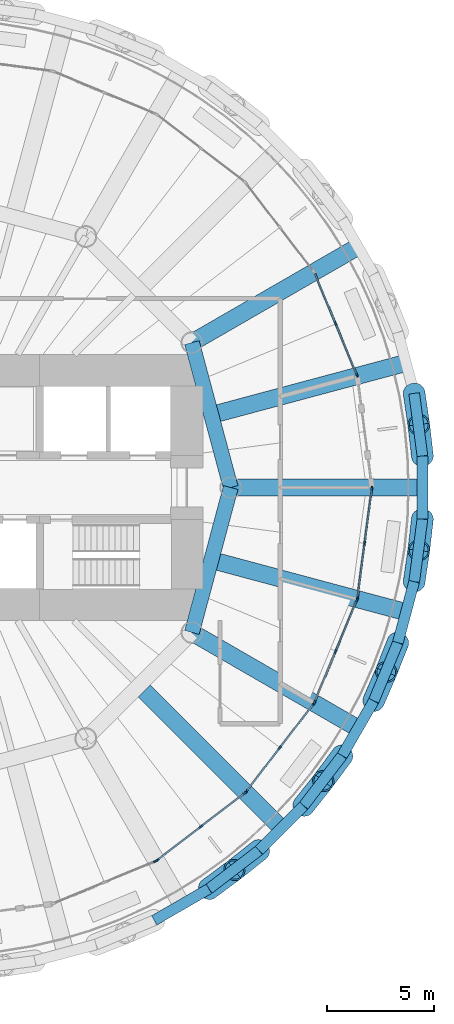
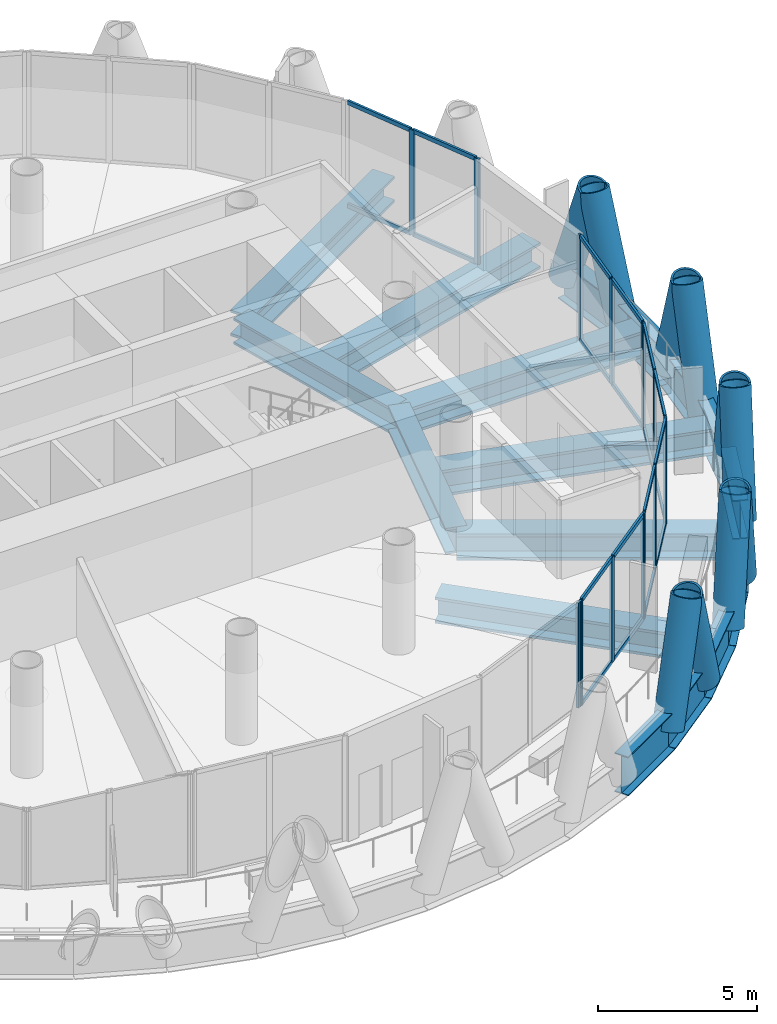
# One storey, part 4 of 15: 45 members, 18 beams, 6 elements without a shape of their own.
"""IFC4 building model written with IfcOpenShell, lengths in metres."""

from ifc_helpers import new_model, si_unit, direction, frame, origin, origin_2d, place, context, subcontext, project, spatial, rectangle, hollow_circle, i_section, extrude, material, material_profile, profile_set, type_object, element, aggregate, save


model = new_model("IFC4")

# Units and contexts
model_context = context("Model", 3, precision=1e-05, world=origin(), true_north=direction((0.0, 1.0)))
body_context = subcontext(model_context, "Body", "Model", "MODEL_VIEW")
ifc_project = project(units=[si_unit("LENGTHUNIT", "METRE"), si_unit("AREAUNIT", "SQUARE_METRE"), si_unit("VOLUMEUNIT", "CUBIC_METRE"), si_unit("PLANEANGLEUNIT", "RADIAN"), si_unit("MASSUNIT", "GRAM", prefix="KILO")], contexts=[model_context])

# Site, building, storey
site_placement = place(None, origin())
site = spatial("IfcSite", under=ifc_project, at=site_placement, CompositionType="ELEMENT")
building_placement = place(site_placement, origin())
building = spatial("IfcBuilding", under=site, at=building_placement, Name="Qaws Media Tower", CompositionType="ELEMENT")
storey_placement = place(building_placement, frame((0.0, 0.0, 231.800048828125)))
storey = spatial("IfcBuildingStorey", under=building, at=storey_placement, Name="L53", CompositionType="ELEMENT", Elevation=231.800048828125)

# Curtain wall, members
ifc_material_1 = material(Name="Aluminium and clear glass", Category="aluminium")
curtain_wall_type = type_object("IfcCurtainWallType", Name="Unitised curtain wall CW-C", PredefinedType="NOTDEFINED", material=ifc_material_1)
curtain_wall_1_placement = place(storey_placement, origin())
curtain_wall_1 = element("IfcCurtainWall", 1, at=curtain_wall_1_placement, inside=storey, type_object=curtain_wall_type, Name="CWC curtain wall L53-02", PredefinedType="NOTDEFINED")
ifc_material_2 = material(Name="Aluminium mullion", Category="aluminium")
ifc_material_profile_1 = material_profile(ifc_material_2, rectangle(XDim=0.080078125, YDim=0.199951171875, at=origin_2d()), Name="80x200")
ifc_profile_set_1 = profile_set([ifc_material_profile_1], Name="Aluminium mullion")
member_type_1 = type_object("IfcMemberType", Name="Curtain wall mullion 80x200", PredefinedType="MULLION", material=ifc_profile_set_1)
member_1_placement = place(storey_placement, frame((79.375732421875, 55.232666015625, 0.0), z_axis=(0.0, 0.0, 1.0), x_axis=(-0.923879540513, -0.382683413048, 0.0)))
member_1 = element("IfcMember", 2, at=member_1_placement, type_object=member_type_1, Name="CWC mullion 1", PredefinedType="MULLION", context=body_context, shape_type="SweptSolid", body=[
    extrude(rectangle(XDim=0.080078125, YDim=0.199951171875, at=origin_2d()), origin(), (0.0, 0.0, 1.0), 4.0400390625),
])
member_2_placement = place(storey_placement, frame((78.38818359375, 57.61669921875, 0.0), z_axis=(0.0, 0.0, 1.0), x_axis=(-0.923879540513, -0.382683413048, 0.0)))
member_2 = element("IfcMember", 3, at=member_2_placement, type_object=member_type_1, Name="CWC mullion 2", PredefinedType="MULLION", context=body_context, shape_type="SweptSolid", body=[
    extrude(rectangle(XDim=0.080078125, YDim=0.199951171875, at=origin_2d()), origin(), (0.0, 0.0, 1.0), 4.0400390625),
])

# Curtain wall, member
curtain_wall_2_placement = place(storey_placement, origin())
curtain_wall_2 = element("IfcCurtainWall", 4, at=curtain_wall_2_placement, inside=storey, type_object=curtain_wall_type, Name="CWC curtain wall L53-20", PredefinedType="NOTDEFINED")
member_3_placement = place(storey_placement, frame((70.00048828125, 32.59912109375, 0.0), z_axis=(0.0, 0.0, 1.0), x_axis=(-0.382683413048, 0.923879540513, 0.0)))
member_3 = element("IfcMember", 5, at=member_3_placement, type_object=member_type_1, Name="CWC mullion 3", PredefinedType="MULLION", context=body_context, shape_type="SweptSolid", body=[
    extrude(rectangle(XDim=0.080078125, YDim=0.199951171875, at=origin_2d()), origin(), (0.0, 0.0, 1.0), 4.0400390625),
])
aggregate(curtain_wall_2, [member_3])

# Curtain wall, members
curtain_wall_3_placement = place(storey_placement, origin())
curtain_wall_3 = element("IfcCurtainWall", 6, at=curtain_wall_3_placement, inside=storey, type_object=curtain_wall_type, Name="CWC curtain wall L53-21", PredefinedType="NOTDEFINED")
member_4_placement = place(storey_placement, frame((70.0693359375, 32.638916015625, 0.0), z_axis=(0.0, 0.0, 1.0), x_axis=(-0.608761353254, 0.79335339842, 0.0)))
member_4 = element("IfcMember", 7, at=member_4_placement, type_object=member_type_1, Name="CWC mullion 1", PredefinedType="MULLION", context=body_context, shape_type="SweptSolid", body=[
    extrude(rectangle(XDim=0.080078125, YDim=0.199951171875, at=origin_2d()), origin(), (0.0, 0.0, 1.0), 4.0400390625),
])
member_5_placement = place(storey_placement, frame((72.116455078125, 34.209716796875, 0.0), z_axis=(0.0, 0.0, 1.0), x_axis=(-0.608761353254, 0.79335339842, 0.0)))
member_5 = element("IfcMember", 8, at=member_5_placement, type_object=member_type_1, Name="CWC mullion 2", PredefinedType="MULLION", context=body_context, shape_type="SweptSolid", body=[
    extrude(rectangle(XDim=0.080078125, YDim=0.199951171875, at=origin_2d()), origin(), (0.0, 0.0, 1.0), 4.0400390625),
])
member_6_placement = place(storey_placement, frame((74.163330078125, 35.780517578125, 0.0), z_axis=(0.0, 0.0, 1.0), x_axis=(-0.608761353254, 0.79335339842, 0.0)))
member_6 = element("IfcMember", 9, at=member_6_placement, type_object=member_type_1, Name="CWC mullion 3", PredefinedType="MULLION", context=body_context, shape_type="SweptSolid", body=[
    extrude(rectangle(XDim=0.080078125, YDim=0.199951171875, at=origin_2d()), origin(), (0.0, 0.0, 1.0), 4.0400390625),
])

curtain_wall_4_placement = place(storey_placement, origin())
curtain_wall_4 = element("IfcCurtainWall", 10, at=curtain_wall_4_placement, inside=storey, type_object=curtain_wall_type, Name="CWC curtain wall L53-22", PredefinedType="NOTDEFINED")
member_7_placement = place(storey_placement, frame((74.219482421875, 35.836669921875, 0.0), z_axis=(0.0, 0.0, 1.0), x_axis=(-0.79335339842, 0.608761353254, 0.0)))
member_7 = element("IfcMember", 11, at=member_7_placement, type_object=member_type_1, Name="CWC mullion 1", PredefinedType="MULLION", context=body_context, shape_type="SweptSolid", body=[
    extrude(rectangle(XDim=0.080078125, YDim=0.199951171875, at=origin_2d()), origin(), (0.0, 0.0, 1.0), 4.0400390625),
])
member_8_placement = place(storey_placement, frame((75.790283203125, 37.883544921875, 0.0), z_axis=(0.0, 0.0, 1.0), x_axis=(-0.79335339842, 0.608761353254, 0.0)))
member_8 = element("IfcMember", 12, at=member_8_placement, type_object=member_type_1, Name="CWC mullion 2", PredefinedType="MULLION", context=body_context, shape_type="SweptSolid", body=[
    extrude(rectangle(XDim=0.080078125, YDim=0.199951171875, at=origin_2d()), origin(), (0.0, 0.0, 1.0), 4.0400390625),
])
member_9_placement = place(storey_placement, frame((77.361083984375, 39.9306640625, 0.0), z_axis=(0.0, 0.0, 1.0), x_axis=(-0.79335339842, 0.608761353254, 0.0)))
member_9 = element("IfcMember", 13, at=member_9_placement, type_object=member_type_1, Name="CWC mullion 3", PredefinedType="MULLION", context=body_context, shape_type="SweptSolid", body=[
    extrude(rectangle(XDim=0.080078125, YDim=0.199951171875, at=origin_2d()), origin(), (0.0, 0.0, 1.0), 4.0400390625),
])

curtain_wall_5_placement = place(storey_placement, origin())
curtain_wall_5 = element("IfcCurtainWall", 14, at=curtain_wall_5_placement, inside=storey, type_object=curtain_wall_type, Name="CWC curtain wall L53-23", PredefinedType="NOTDEFINED")
member_10_placement = place(storey_placement, frame((77.40087890625, 39.99951171875, 0.0), z_axis=(0.0, 0.0, 1.0), x_axis=(-0.923879540513, 0.382683413048, 0.0)))
member_10 = element("IfcMember", 15, at=member_10_placement, type_object=member_type_1, Name="CWC mullion 1", PredefinedType="MULLION", context=body_context, shape_type="SweptSolid", body=[
    extrude(rectangle(XDim=0.080078125, YDim=0.199951171875, at=origin_2d()), origin(), (0.0, 0.0, 1.0), 4.0400390625),
])
member_11_placement = place(storey_placement, frame((78.38818359375, 42.38330078125, 0.0), z_axis=(0.0, 0.0, 1.0), x_axis=(-0.923879540513, 0.382683413048, 0.0)))
member_11 = element("IfcMember", 16, at=member_11_placement, type_object=member_type_1, Name="CWC mullion 2", PredefinedType="MULLION", context=body_context, shape_type="SweptSolid", body=[
    extrude(rectangle(XDim=0.080078125, YDim=0.199951171875, at=origin_2d()), origin(), (0.0, 0.0, 1.0), 4.0400390625),
])
member_12_placement = place(storey_placement, frame((79.375732421875, 44.767333984375, 0.0), z_axis=(0.0, 0.0, 1.0), x_axis=(-0.923879540513, 0.382683413048, 0.0)))
member_12 = element("IfcMember", 17, at=member_12_placement, type_object=member_type_1, Name="CWC mullion 3", PredefinedType="MULLION", context=body_context, shape_type="SweptSolid", body=[
    extrude(rectangle(XDim=0.080078125, YDim=0.199951171875, at=origin_2d()), origin(), (0.0, 0.0, 1.0), 4.0400390625),
])

curtain_wall_6_placement = place(storey_placement, origin())
curtain_wall_6 = element("IfcCurtainWall", 18, at=curtain_wall_6_placement, inside=storey, type_object=curtain_wall_type, Name="CWC curtain wall L53-24", PredefinedType="NOTDEFINED")
member_13_placement = place(storey_placement, frame((79.396240234375, 44.84375, 0.0), z_axis=(0.0, 0.0, 1.0), x_axis=(-0.991444861219, 0.130526193397, 0.0)))
member_13 = element("IfcMember", 19, at=member_13_placement, type_object=member_type_1, Name="CWC mullion 1", PredefinedType="MULLION", context=body_context, shape_type="SweptSolid", body=[
    extrude(rectangle(XDim=0.080078125, YDim=0.199951171875, at=origin_2d()), origin(), (0.0, 0.0, 1.0), 4.0400390625),
])
member_14_placement = place(storey_placement, frame((79.73291015625, 47.402099609375, 0.0), z_axis=(0.0, 0.0, 1.0), x_axis=(-0.991444861219, 0.130526193397, 0.0)))
member_14 = element("IfcMember", 20, at=member_14_placement, type_object=member_type_1, Name="CWC mullion 2", PredefinedType="MULLION", context=body_context, shape_type="SweptSolid", body=[
    extrude(rectangle(XDim=0.080078125, YDim=0.199951171875, at=origin_2d()), origin(), (0.0, 0.0, 1.0), 4.0400390625),
])
member_15_placement = place(storey_placement, frame((80.06982421875, 49.96044921875, 0.0), z_axis=(0.0, 0.0, 1.0), x_axis=(-0.991444861219, 0.130526193397, 0.0)))
member_15 = element("IfcMember", 21, at=member_15_placement, type_object=member_type_1, Name="CWC mullion 3", PredefinedType="MULLION", context=body_context, shape_type="SweptSolid", body=[
    extrude(rectangle(XDim=0.080078125, YDim=0.199951171875, at=origin_2d()), origin(), (0.0, 0.0, 1.0), 4.0400390625),
])

# Member
ifc_material_3 = material(Name="Aluminium transom", Category="aluminium")
ifc_material_profile_2 = material_profile(ifc_material_3, rectangle(XDim=0.080078125, YDim=0.159912109375, at=origin_2d()), Name="80x160")
ifc_profile_set_2 = profile_set([ifc_material_profile_2], Name="Aluminium transom")
member_type_2 = type_object("IfcMemberType", Name="Curtain wall transom 80x160", PredefinedType="USERDEFINED", material=ifc_profile_set_2)
member_16_placement = place(storey_placement, frame((79.3603515625, 55.269775390625, 0.0400390625), z_axis=(-0.382693891664, 0.923875200059, 0.0), x_axis=(-0.923875200059, -0.382693891664, 0.0)))
member_16 = element("IfcMember", 22, at=member_16_placement, type_object=member_type_2, Name="CWC transom 1.1", ObjectType="TRANSOM", PredefinedType="USERDEFINED", context=body_context, shape_type="SweptSolid", body=[
    extrude(rectangle(XDim=0.080078125, YDim=0.159912109375, at=origin_2d()), origin(), (0.0, 0.0, 1.0), 2.500244140625),
])

member_17_placement = place(storey_placement, frame((79.3603515625, 55.269775390625, 4.0), z_axis=(-0.382693891664, 0.923875200059, 0.0), x_axis=(-0.923875200059, -0.382693891664, 0.0)))
member_17 = element("IfcMember", 23, at=member_17_placement, type_object=member_type_2, Name="CWC transom 1.2", ObjectType="TRANSOM", PredefinedType="USERDEFINED", context=body_context, shape_type="SweptSolid", body=[
    extrude(rectangle(XDim=0.080078125, YDim=0.159912109375, at=origin_2d()), origin(), (0.0, 0.0, 1.0), 2.500244140625),
])

member_18_placement = place(storey_placement, frame((78.372802734375, 57.653564453125, 0.0400390625), z_axis=(-0.382659368921, 0.923889499549, 0.0), x_axis=(-0.923889499549, -0.382659368921, 0.0)))
member_18 = element("IfcMember", 24, at=member_18_placement, type_object=member_type_2, Name="CWC transom 2.1", ObjectType="TRANSOM", PredefinedType="USERDEFINED", context=body_context, shape_type="SweptSolid", body=[
    extrude(rectangle(XDim=0.080078125, YDim=0.159912109375, at=origin_2d()), origin(), (0.0, 0.0, 1.0), 2.500244140625),
])

member_19_placement = place(storey_placement, frame((78.372802734375, 57.653564453125, 4.0), z_axis=(-0.382659368921, 0.923889499549, 0.0), x_axis=(-0.923889499549, -0.382659368921, 0.0)))
member_19 = element("IfcMember", 25, at=member_19_placement, type_object=member_type_2, Name="CWC transom 2.2", ObjectType="TRANSOM", PredefinedType="USERDEFINED", context=body_context, shape_type="SweptSolid", body=[
    extrude(rectangle(XDim=0.080078125, YDim=0.159912109375, at=origin_2d()), origin(), (0.0, 0.0, 1.0), 2.500244140625),
])

aggregate(curtain_wall_1, [member_1, member_2, member_16, member_17, member_18, member_19])

member_20_placement = place(storey_placement, frame((70.10107421875, 32.663330078125, 0.0400390625), z_axis=(0.793378418064, 0.608728745626, 0.0), x_axis=(-0.608728745626, 0.793378418064, 0.0)))
member_20 = element("IfcMember", 26, at=member_20_placement, type_object=member_type_2, Name="CWC transom 1.1", ObjectType="TRANSOM", PredefinedType="USERDEFINED", context=body_context, shape_type="SweptSolid", body=[
    extrude(rectangle(XDim=0.080078125, YDim=0.159912109375, at=origin_2d()), origin(), (0.0, 0.0, 1.0), 2.500244140625),
])

member_21_placement = place(storey_placement, frame((70.10107421875, 32.663330078125, 4.0), z_axis=(0.793378418064, 0.608728745626, 0.0), x_axis=(-0.608728745626, 0.793378418064, 0.0)))
member_21 = element("IfcMember", 27, at=member_21_placement, type_object=member_type_2, Name="CWC transom 1.2", ObjectType="TRANSOM", PredefinedType="USERDEFINED", context=body_context, shape_type="SweptSolid", body=[
    extrude(rectangle(XDim=0.080078125, YDim=0.159912109375, at=origin_2d()), origin(), (0.0, 0.0, 1.0), 2.500244140625),
])

member_22_placement = place(storey_placement, frame((72.14794921875, 34.234130859375, 0.0400390625), z_axis=(0.793378418064, 0.608728745626, 0.0), x_axis=(-0.608728745626, 0.793378418064, 0.0)))
member_22 = element("IfcMember", 28, at=member_22_placement, type_object=member_type_2, Name="CWC transom 2.1", ObjectType="TRANSOM", PredefinedType="USERDEFINED", context=body_context, shape_type="SweptSolid", body=[
    extrude(rectangle(XDim=0.080078125, YDim=0.159912109375, at=origin_2d()), origin(), (0.0, 0.0, 1.0), 2.500244140625),
])

member_23_placement = place(storey_placement, frame((72.14794921875, 34.234130859375, 4.0), z_axis=(0.793378418064, 0.608728745626, 0.0), x_axis=(-0.608728745626, 0.793378418064, 0.0)))
member_23 = element("IfcMember", 29, at=member_23_placement, type_object=member_type_2, Name="CWC transom 2.2", ObjectType="TRANSOM", PredefinedType="USERDEFINED", context=body_context, shape_type="SweptSolid", body=[
    extrude(rectangle(XDim=0.080078125, YDim=0.159912109375, at=origin_2d()), origin(), (0.0, 0.0, 1.0), 2.500244140625),
])

aggregate(curtain_wall_3, [member_4, member_5, member_6, member_20, member_21, member_22, member_23])

member_24_placement = place(storey_placement, frame((74.243896484375, 35.868408203125, 0.0400390625), z_axis=(0.608728745626, 0.793378418064, 0.0), x_axis=(-0.793378418064, 0.608728745626, 0.0)))
member_24 = element("IfcMember", 30, at=member_24_placement, type_object=member_type_2, Name="CWC transom 1.1", ObjectType="TRANSOM", PredefinedType="USERDEFINED", context=body_context, shape_type="SweptSolid", body=[
    extrude(rectangle(XDim=0.080078125, YDim=0.159912109375, at=origin_2d()), origin(), (0.0, 0.0, 1.0), 2.500244140625),
])

member_25_placement = place(storey_placement, frame((74.243896484375, 35.868408203125, 4.0), z_axis=(0.608728745626, 0.793378418064, 0.0), x_axis=(-0.793378418064, 0.608728745626, 0.0)))
member_25 = element("IfcMember", 31, at=member_25_placement, type_object=member_type_2, Name="CWC transom 1.2", ObjectType="TRANSOM", PredefinedType="USERDEFINED", context=body_context, shape_type="SweptSolid", body=[
    extrude(rectangle(XDim=0.080078125, YDim=0.159912109375, at=origin_2d()), origin(), (0.0, 0.0, 1.0), 2.500244140625),
])

member_26_placement = place(storey_placement, frame((75.814697265625, 37.915283203125, 0.0400390625), z_axis=(0.608728745626, 0.793378418064, 0.0), x_axis=(-0.793378418064, 0.608728745626, 0.0)))
member_26 = element("IfcMember", 32, at=member_26_placement, type_object=member_type_2, Name="CWC transom 2.1", ObjectType="TRANSOM", PredefinedType="USERDEFINED", context=body_context, shape_type="SweptSolid", body=[
    extrude(rectangle(XDim=0.080078125, YDim=0.159912109375, at=origin_2d()), origin(), (0.0, 0.0, 1.0), 2.500244140625),
])

member_27_placement = place(storey_placement, frame((75.814697265625, 37.915283203125, 4.0), z_axis=(0.608728745626, 0.793378418064, 0.0), x_axis=(-0.793378418064, 0.608728745626, 0.0)))
member_27 = element("IfcMember", 33, at=member_27_placement, type_object=member_type_2, Name="CWC transom 2.2", ObjectType="TRANSOM", PredefinedType="USERDEFINED", context=body_context, shape_type="SweptSolid", body=[
    extrude(rectangle(XDim=0.080078125, YDim=0.159912109375, at=origin_2d()), origin(), (0.0, 0.0, 1.0), 2.500244140625),
])

aggregate(curtain_wall_4, [member_7, member_8, member_9, member_24, member_25, member_26, member_27])

member_28_placement = place(storey_placement, frame((77.416015625, 40.036376953125, 0.0400390625), z_axis=(0.382659368921, 0.923889499549, 0.0), x_axis=(-0.923889499549, 0.382659368921, 0.0)))
member_28 = element("IfcMember", 34, at=member_28_placement, type_object=member_type_2, Name="CWC transom 1.1", ObjectType="TRANSOM", PredefinedType="USERDEFINED", context=body_context, shape_type="SweptSolid", body=[
    extrude(rectangle(XDim=0.080078125, YDim=0.159912109375, at=origin_2d()), origin(), (0.0, 0.0, 1.0), 2.500244140625),
])

member_29_placement = place(storey_placement, frame((77.416015625, 40.036376953125, 4.0), z_axis=(0.382659368921, 0.923889499549, 0.0), x_axis=(-0.923889499549, 0.382659368921, 0.0)))
member_29 = element("IfcMember", 35, at=member_29_placement, type_object=member_type_2, Name="CWC transom 1.2", ObjectType="TRANSOM", PredefinedType="USERDEFINED", context=body_context, shape_type="SweptSolid", body=[
    extrude(rectangle(XDim=0.080078125, YDim=0.159912109375, at=origin_2d()), origin(), (0.0, 0.0, 1.0), 2.500244140625),
])

member_30_placement = place(storey_placement, frame((78.403564453125, 42.42041015625, 0.0400390625), z_axis=(0.382693891664, 0.923875200059, 0.0), x_axis=(-0.923875200059, 0.382693891664, 0.0)))
member_30 = element("IfcMember", 36, at=member_30_placement, type_object=member_type_2, Name="CWC transom 2.1", ObjectType="TRANSOM", PredefinedType="USERDEFINED", context=body_context, shape_type="SweptSolid", body=[
    extrude(rectangle(XDim=0.080078125, YDim=0.159912109375, at=origin_2d()), origin(), (0.0, 0.0, 1.0), 2.500244140625),
])

member_31_placement = place(storey_placement, frame((78.403564453125, 42.42041015625, 4.0), z_axis=(0.382693891664, 0.923875200059, 0.0), x_axis=(-0.923875200059, 0.382693891664, 0.0)))
member_31 = element("IfcMember", 37, at=member_31_placement, type_object=member_type_2, Name="CWC transom 2.2", ObjectType="TRANSOM", PredefinedType="USERDEFINED", context=body_context, shape_type="SweptSolid", body=[
    extrude(rectangle(XDim=0.080078125, YDim=0.159912109375, at=origin_2d()), origin(), (0.0, 0.0, 1.0), 2.500244140625),
])

aggregate(curtain_wall_5, [member_10, member_11, member_12, member_28, member_29, member_30, member_31])

member_32_placement = place(storey_placement, frame((79.4013671875, 44.883544921875, 0.0400390625), z_axis=(0.130545439386, 0.991442327246, 0.0), x_axis=(-0.991442327246, 0.130545439386, 0.0)))
member_32 = element("IfcMember", 38, at=member_32_placement, type_object=member_type_2, Name="CWC transom 1.1", ObjectType="TRANSOM", PredefinedType="USERDEFINED", context=body_context, shape_type="SweptSolid", body=[
    extrude(rectangle(XDim=0.080078125, YDim=0.159912109375, at=origin_2d()), origin(), (0.0, 0.0, 1.0), 2.50048828125),
])

member_33_placement = place(storey_placement, frame((79.4013671875, 44.883544921875, 4.0), z_axis=(0.130545439386, 0.991442327246, 0.0), x_axis=(-0.991442327246, 0.130545439386, 0.0)))
member_33 = element("IfcMember", 39, at=member_33_placement, type_object=member_type_2, Name="CWC transom 1.2", ObjectType="TRANSOM", PredefinedType="USERDEFINED", context=body_context, shape_type="SweptSolid", body=[
    extrude(rectangle(XDim=0.080078125, YDim=0.159912109375, at=origin_2d()), origin(), (0.0, 0.0, 1.0), 2.50048828125),
])

member_34_placement = place(storey_placement, frame((79.73828125, 47.441650390625, 0.0400390625), z_axis=(0.130449460985, 0.991454960212, 0.0), x_axis=(-0.991454960212, 0.130449460985, 0.0)))
member_34 = element("IfcMember", 40, at=member_34_placement, type_object=member_type_2, Name="CWC transom 2.1", ObjectType="TRANSOM", PredefinedType="USERDEFINED", context=body_context, shape_type="SweptSolid", body=[
    extrude(rectangle(XDim=0.080078125, YDim=0.159912109375, at=origin_2d()), origin(), (0.0, 0.0, 1.0), 2.50048828125),
])

member_35_placement = place(storey_placement, frame((79.73828125, 47.441650390625, 4.0), z_axis=(0.130449460985, 0.991454960212, 0.0), x_axis=(-0.991454960212, 0.130449460985, 0.0)))
member_35 = element("IfcMember", 41, at=member_35_placement, type_object=member_type_2, Name="CWC transom 2.2", ObjectType="TRANSOM", PredefinedType="USERDEFINED", context=body_context, shape_type="SweptSolid", body=[
    extrude(rectangle(XDim=0.080078125, YDim=0.159912109375, at=origin_2d()), origin(), (0.0, 0.0, 1.0), 2.50048828125),
])

aggregate(curtain_wall_6, [member_13, member_14, member_15, member_32, member_33, member_34, member_35])

# Members
ifc_material_4 = material(Name="Steel S460", Category="steel")
ifc_material_profile_3 = material_profile(ifc_material_4, hollow_circle(Radius=0.508056640625, WallThickness=0.070068359375, at=origin_2d()), Name="CHS 1016x70")
ifc_profile_set_3 = profile_set([ifc_material_profile_3], Name="Steel S460")
member_type_3 = type_object("IfcMemberType", Name="Diagrid member CHS 1016x70", PredefinedType="USERDEFINED", material=ifc_profile_set_3)
for number, where, z_axis, x_axis, name in (
    (42, (82.4267578125, 51.469970703125, -0.91015625), (-0.037909884979, 0.328186587472, 0.943851897505), (-0.993394382127, -0.114750170186, 0.0), "DG3 diagrid L53 A01"),
    (43, (82.4267578125, 48.530029296875, -0.91015625), (-0.037909884979, -0.328186587472, 0.943851897505), (0.993394382127, -0.114750170186, 0.0), "DG3 diagrid L53 B01"),
    (44, (82.043212890625, 54.384765625, -0.91015625), (0.048278982492, -0.326815793982, 0.943854107717), (0.989264009043, 0.146139386933, 0.0), "DG3 diagrid L53 B02"),
):
    element("IfcMember", number, at=place(storey_placement, frame(where, z_axis=z_axis, x_axis=x_axis)), inside=storey, type_object=member_type_3, Name=name, ObjectType="DIAGRID", PredefinedType="USERDEFINED", context=body_context, shape_type="SweptSolid", body=[
        extrude(hollow_circle(Radius=0.508056640625, WallThickness=0.070068359375, at=origin_2d()), origin(), (0.0, 0.0, 1.0), 4.449951171875),
    ])
member_36_placement = place(storey_placement, frame((72.486328125, 31.312744140625, -0.91015625), z_axis=(0.265258064978, 0.196954799022, 0.943846897598), x_axis=(-0.596140546888, 0.802880095878, 0.0)))
element("IfcMember", 45, at=member_36_placement, inside=storey, type_object=member_type_3, Name="DG3 diagrid L53 A21", ObjectType="DIAGRID", PredefinedType="USERDEFINED", context=body_context, shape_type="SweptSolid", body=[
    extrude(hollow_circle(Radius=0.508056640625, WallThickness=0.070068359375, at=origin_2d()), origin(), (0.0, 0.0, 1.0), 4.4501953125),
])
for number, where, z_axis, x_axis, name in (
    (46, (76.897705078125, 35.18115234375, -0.91015625), (0.20518681443, 0.25889748056, 0.943859346377), (-0.783712318806, 0.621123982271, 0.0), "DG3 diagrid L53 A22"),
    (47, (74.81884765625, 33.102294921875, -0.91015625), (-0.25889748056, -0.20518681443, 0.943859346377), (0.621123982271, -0.783712318806, 0.0), "DG3 diagrid L53 B22"),
    (48, (80.1572265625, 40.0595703125, -0.91015625), (0.131231429431, 0.303170936051, 0.943856819366), (-0.917713080765, 0.397243881504, 0.0), "DG3 diagrid L53 A23"),
):
    element("IfcMember", number, at=place(storey_placement, frame(where, z_axis=z_axis, x_axis=x_axis)), inside=storey, type_object=member_type_3, Name=name, ObjectType="DIAGRID", PredefinedType="USERDEFINED", context=body_context, shape_type="SweptSolid", body=[
        extrude(hollow_circle(Radius=0.508056640625, WallThickness=0.070068359375, at=origin_2d()), origin(), (0.0, 0.0, 1.0), 4.449951171875),
    ])
member_37_placement = place(storey_placement, frame((78.687255859375, 37.513671875, -0.91015625), z_axis=(-0.196954799022, -0.265258064978, 0.943846897598), x_axis=(0.802880095878, -0.596140546888, 0.0)))
element("IfcMember", 49, at=member_37_placement, inside=storey, type_object=member_type_3, Name="DG3 diagrid L53 B23", ObjectType="DIAGRID", PredefinedType="USERDEFINED", context=body_context, shape_type="SweptSolid", body=[
    extrude(hollow_circle(Radius=0.508056640625, WallThickness=0.070068359375, at=origin_2d()), origin(), (0.0, 0.0, 1.0), 4.4501953125),
])
for number, where, z_axis, x_axis, name in (
    (50, (82.043212890625, 45.615234375, -0.91015625), (0.048278982492, 0.326815793982, 0.943854107717), (-0.989264009043, 0.146139386933, 0.0), "DG3 diagrid L53 A24"),
    (51, (81.2822265625, 42.775634765625, -0.91015625), (-0.121575400819, -0.307175392233, 0.943855232714), (0.929822004047, -0.368009566167, 0.0), "DG3 diagrid L53 B24"),
):
    element("IfcMember", number, at=place(storey_placement, frame(where, z_axis=z_axis, x_axis=x_axis)), inside=storey, type_object=member_type_3, Name=name, ObjectType="DIAGRID", PredefinedType="USERDEFINED", context=body_context, shape_type="SweptSolid", body=[
        extrude(hollow_circle(Radius=0.508056640625, WallThickness=0.070068359375, at=origin_2d()), origin(), (0.0, 0.0, 1.0), 4.449951171875),
    ])

# Beams
ifc_material_5 = material(Name="Steel S460", Category="steel")
ifc_material_profile_4 = material_profile(ifc_material_5, i_section(OverallWidth=0.5, OverallDepth=1.5, WebThickness=0.02001953125, FlangeThickness=0.0400390625, at=origin_2d()), Name="PG 1500x500")
ifc_profile_set_4 = profile_set([ifc_material_profile_4], Name="Steel S460")
beam_type_1 = type_object("IfcBeamType", Name="Edge ring beam PG 1500x500", PredefinedType="BEAM", material=ifc_profile_set_4)
beam_1_placement = place(storey_placement, frame((82.4267578125, 51.469970703125, -0.91015625), z_axis=(-0.130460957042, 0.991453447565, 0.0), x_axis=(-0.991453447565, -0.130460957042, 0.0)))
element("IfcBeam", 52, at=beam_1_placement, inside=storey, type_object=beam_type_1, Name="RB4 edge ring beam L53-01", PredefinedType="BEAM", context=body_context, shape_type="SweptSolid", body=[
    extrude(i_section(OverallWidth=0.5, OverallDepth=1.5, WebThickness=0.02001953125, FlangeThickness=0.0400390625, at=origin_2d()), origin(), (0.0, 0.0, 1.0), 2.93994140625),
])
beam_2_placement = place(storey_placement, frame((69.9404296875, 29.8427734375, -0.91015625), z_axis=(0.866011328839, 0.500024377727, 0.0), x_axis=(-0.500024377727, 0.866011328839, 0.0)))
element("IfcBeam", 53, at=beam_2_placement, inside=storey, type_object=beam_type_1, Name="RB4 edge ring beam L53-40", PredefinedType="BEAM", context=body_context, shape_type="SweptSolid", body=[
    extrude(i_section(OverallWidth=0.5, OverallDepth=1.5, WebThickness=0.02001953125, FlangeThickness=0.0400390625, at=origin_2d()), origin(), (0.0, 0.0, 1.0), 2.939697265625),
])
for number, where, z_axis, x_axis, name in (
    (54, (72.486328125, 31.312744140625, -0.91015625), (0.793395131444, 0.608706961847, 0.0), (-0.608706961847, 0.793395131444, 0.0), "RB4 edge ring beam L53-41"),
    (55, (74.81884765625, 33.102294921875, -0.91015625), (0.707106781187, 0.707106781187, 0.0), (-0.707106781187, 0.707106781187, 0.0), "RB4 edge ring beam L53-42"),
    (56, (76.897705078125, 35.18115234375, -0.91015625), (0.608706961847, 0.793395131444, 0.0), (-0.793395131444, 0.608706961847, 0.0), "RB4 edge ring beam L53-43"),
):
    element("IfcBeam", number, at=place(storey_placement, frame(where, z_axis=z_axis, x_axis=x_axis)), inside=storey, type_object=beam_type_1, Name=name, PredefinedType="BEAM", context=body_context, shape_type="SweptSolid", body=[
        extrude(i_section(OverallWidth=0.5, OverallDepth=1.5, WebThickness=0.02001953125, FlangeThickness=0.0400390625, at=origin_2d()), origin(), (0.0, 0.0, 1.0), 2.93994140625),
    ])
beam_3_placement = place(storey_placement, frame((78.687255859375, 37.513671875, -0.91015625), z_axis=(0.500024377727, 0.866011328839, 0.0), x_axis=(-0.866011328839, 0.500024377727, 0.0)))
element("IfcBeam", 57, at=beam_3_placement, inside=storey, type_object=beam_type_1, Name="RB4 edge ring beam L53-44", PredefinedType="BEAM", context=body_context, shape_type="SweptSolid", body=[
    extrude(i_section(OverallWidth=0.5, OverallDepth=1.5, WebThickness=0.02001953125, FlangeThickness=0.0400390625, at=origin_2d()), origin(), (0.0, 0.0, 1.0), 2.939697265625),
])
beam_4_placement = place(storey_placement, frame((80.1572265625, 40.0595703125, -0.91015625), z_axis=(0.38267450938, 0.923883228482, 0.0), x_axis=(-0.923883228482, 0.38267450938, 0.0)))
element("IfcBeam", 58, at=beam_4_placement, inside=storey, type_object=beam_type_1, Name="RB4 edge ring beam L53-45", PredefinedType="BEAM", context=body_context, shape_type="SweptSolid", body=[
    extrude(i_section(OverallWidth=0.5, OverallDepth=1.5, WebThickness=0.02001953125, FlangeThickness=0.0400390625, at=origin_2d()), origin(), (0.0, 0.0, 1.0), 2.93994140625),
])
beam_5_placement = place(storey_placement, frame((81.2822265625, 42.775634765625, -0.91015625), z_axis=(0.258856465056, 0.965915798866, 0.0), x_axis=(-0.965915798866, 0.258856465056, 0.0)))
element("IfcBeam", 59, at=beam_5_placement, inside=storey, type_object=beam_type_1, Name="RB4 edge ring beam L53-46", PredefinedType="BEAM", context=body_context, shape_type="SweptSolid", body=[
    extrude(i_section(OverallWidth=0.5, OverallDepth=1.5, WebThickness=0.02001953125, FlangeThickness=0.0400390625, at=origin_2d()), origin(), (0.0, 0.0, 1.0), 2.939697265625),
])
for number, where, z_axis, x_axis, name in (
    (60, (82.043212890625, 45.615234375, -0.91015625), (0.130460957042, 0.991453447565, 0.0), (-0.991453447565, 0.130460957042, 0.0), "RB4 edge ring beam L53-47"),
    (61, (82.4267578125, 48.530029296875, -0.91015625), (0.0, 1.0, 0.0), (-1.0, 0.0, 0.0), "RB4 edge ring beam L53-48"),
):
    element("IfcBeam", number, at=place(storey_placement, frame(where, z_axis=z_axis, x_axis=x_axis)), inside=storey, type_object=beam_type_1, Name=name, PredefinedType="BEAM", context=body_context, shape_type="SweptSolid", body=[
        extrude(i_section(OverallWidth=0.5, OverallDepth=1.5, WebThickness=0.02001953125, FlangeThickness=0.0400390625, at=origin_2d()), origin(), (0.0, 0.0, 1.0), 2.93994140625),
    ])
ifc_material_6 = material(Name="Steel S460", Category="steel")
ifc_material_profile_5 = material_profile(ifc_material_6, i_section(OverallWidth=0.699951171875, OverallDepth=1.0, WebThickness=0.034912109375, FlangeThickness=0.090087890625, at=origin_2d()), Name="PG 1000x700")
ifc_profile_set_5 = profile_set([ifc_material_profile_5], Name="Steel S460")
beam_type_2 = type_object("IfcBeamType", Name="Inner ring girder PG 1000x700", PredefinedType="BEAM", material=ifc_profile_set_5)
for number, where, z_axis, x_axis, name in (
    (62, (73.5, 50.0, -0.66015625), (-0.258810593767, 0.965928090778, 0.0), (-0.965928090778, -0.258810593767, 0.0), "B3 inner ring beam L53 I01-I02"),
    (63, (71.69140625, 43.25, -0.66015625), (0.258810593767, 0.965928090778, 0.0), (-0.965928090778, 0.258810593767, 0.0), "B3 inner ring beam L53 I12-I01"),
):
    element("IfcBeam", number, at=place(storey_placement, frame(where, z_axis=z_axis, x_axis=x_axis)), inside=storey, type_object=beam_type_2, Name=name, PredefinedType="BEAM", context=body_context, shape_type="SweptSolid", body=[
        extrude(i_section(OverallWidth=0.699951171875, OverallDepth=1.0, WebThickness=0.034912109375, FlangeThickness=0.090087890625, at=origin_2d()), origin(), (0.0, 0.0, 1.0), 6.988037109375),
    ])
ifc_material_7 = material(Name="Steel S460", Category="steel")
ifc_material_profile_6 = material_profile(ifc_material_7, i_section(OverallWidth=0.800048828125, OverallDepth=1.0, WebThickness=0.0400390625, FlangeThickness=0.10009765625, at=origin_2d()), Name="PG 1000x800")
ifc_profile_set_6 = profile_set([ifc_material_profile_6], Name="Steel S460")
beam_type_3 = type_object("IfcBeamType", Name="Radial girder PG 1000x800", PredefinedType="BEAM", material=ifc_profile_set_6)
beam_6_placement = place(storey_placement, frame((73.5, 50.0, -0.66015625), z_axis=(1.0, 0.0, 0.0), x_axis=(0.0, 1.0, 0.0)))
element("IfcBeam", 64, at=beam_6_placement, inside=storey, type_object=beam_type_3, Name="B1 radial beam L53 01", PredefinedType="BEAM", context=body_context, shape_type="SweptSolid", body=[
    extrude(i_section(OverallWidth=0.800048828125, OverallDepth=1.0, WebThickness=0.0400390625, FlangeThickness=0.10009765625, at=origin_2d()), origin(), (0.0, 0.0, 1.0), 8.9267578125),
])
beam_7_placement = place(storey_placement, frame((72.933837890625, 53.465576171875, -0.66015625), z_axis=(0.965925741707, 0.258819360768, 0.0), x_axis=(-0.258819360768, 0.965925741707, 0.0)))
element("IfcBeam", 65, at=beam_7_placement, inside=storey, type_object=beam_type_3, Name="B1 radial beam L53 02", PredefinedType="BEAM", context=body_context, shape_type="SweptSolid", body=[
    extrude(i_section(OverallWidth=0.800048828125, OverallDepth=1.0, WebThickness=0.0400390625, FlangeThickness=0.10009765625, at=origin_2d()), origin(), (0.0, 0.0, 1.0), 9.03662109375),
])
beam_8_placement = place(storey_placement, frame((71.69140625, 56.75, -0.66015625), z_axis=(0.866029828363, 0.499992336327, 0.0), x_axis=(-0.499992336327, 0.866029828363, 0.0)))
element("IfcBeam", 66, at=beam_8_placement, inside=storey, type_object=beam_type_3, Name="B1 radial beam L53 03", PredefinedType="BEAM", context=body_context, shape_type="SweptSolid", body=[
    extrude(i_section(OverallWidth=0.800048828125, OverallDepth=1.0, WebThickness=0.0400390625, FlangeThickness=0.10009765625, at=origin_2d()), origin(), (0.0, 0.0, 1.0), 8.927001953125),
])
beam_9_placement = place(storey_placement, frame((69.46826171875, 40.53173828125, -0.66015625), z_axis=(0.707106781187, -0.707106781187, 0.0), x_axis=(0.707106781187, 0.707106781187, 0.0)))
element("IfcBeam", 67, at=beam_9_placement, inside=storey, type_object=beam_type_3, Name="B1 radial beam L53 22", PredefinedType="BEAM", context=body_context, shape_type="SweptSolid", body=[
    extrude(i_section(OverallWidth=0.800048828125, OverallDepth=1.0, WebThickness=0.0400390625, FlangeThickness=0.10009765625, at=origin_2d()), origin(), (0.0, 0.0, 1.0), 9.03662109375),
])
beam_10_placement = place(storey_placement, frame((71.69140625, 43.25, -0.66015625), z_axis=(0.866029828363, -0.499992336327, 0.0), x_axis=(0.499992336327, 0.866029828363, 0.0)))
element("IfcBeam", 68, at=beam_10_placement, inside=storey, type_object=beam_type_3, Name="B1 radial beam L53 23", PredefinedType="BEAM", context=body_context, shape_type="SweptSolid", body=[
    extrude(i_section(OverallWidth=0.800048828125, OverallDepth=1.0, WebThickness=0.0400390625, FlangeThickness=0.10009765625, at=origin_2d()), origin(), (0.0, 0.0, 1.0), 8.927001953125),
])
beam_11_placement = place(storey_placement, frame((72.933837890625, 46.534423828125, -0.66015625), z_axis=(0.965925741707, -0.258819360768, 0.0), x_axis=(0.258819360768, 0.965925741707, 0.0)))
element("IfcBeam", 69, at=beam_11_placement, inside=storey, type_object=beam_type_3, Name="B1 radial beam L53 24", PredefinedType="BEAM", context=body_context, shape_type="SweptSolid", body=[
    extrude(i_section(OverallWidth=0.800048828125, OverallDepth=1.0, WebThickness=0.0400390625, FlangeThickness=0.10009765625, at=origin_2d()), origin(), (0.0, 0.0, 1.0), 9.03662109375),
])

save(model, "model.ifc")
